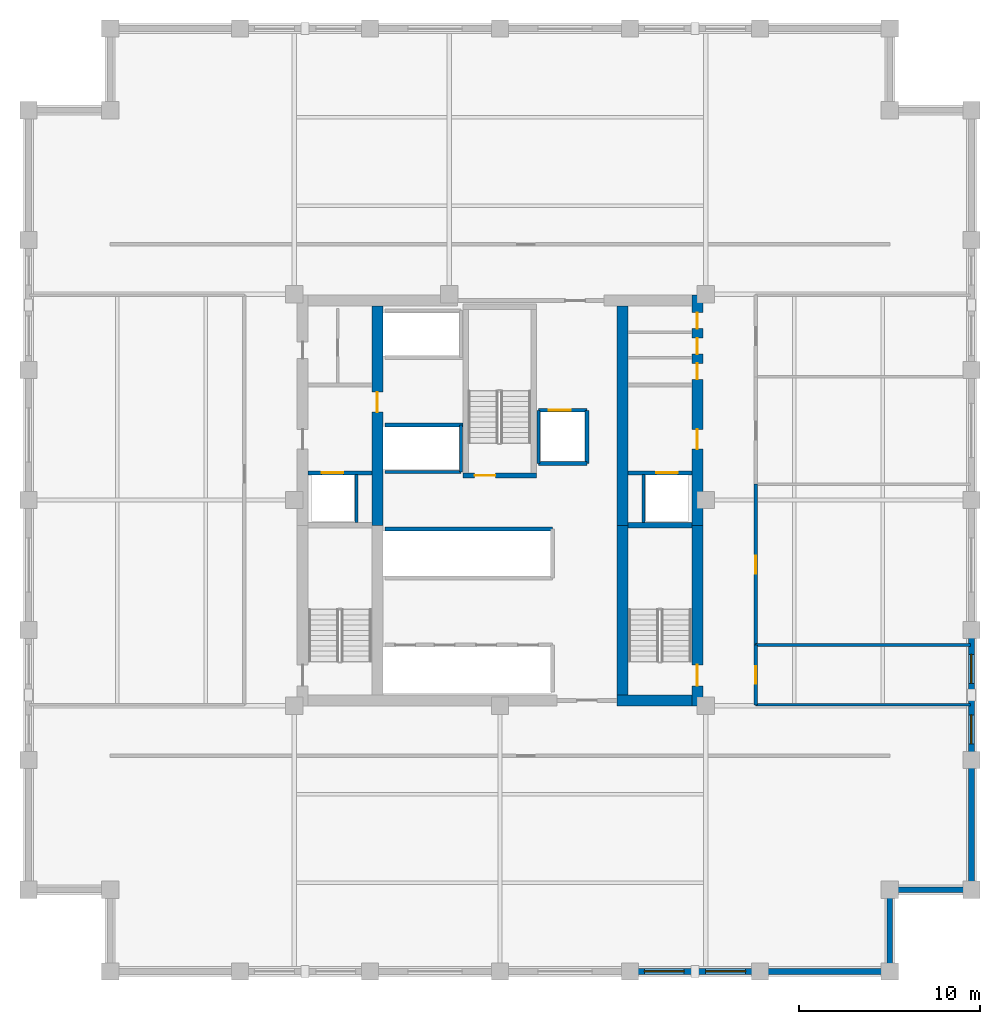
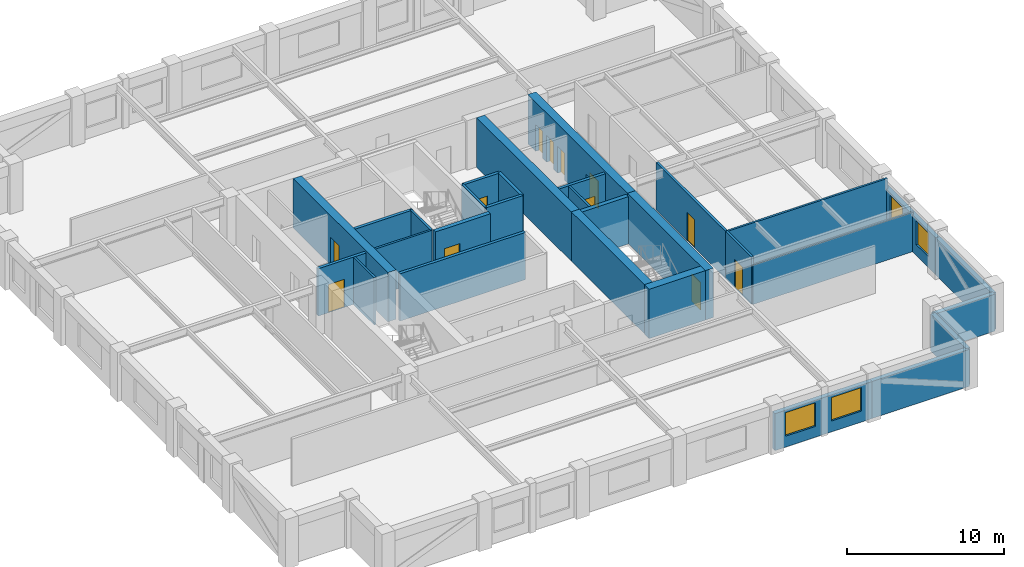
# One storey, part 3 of 6: 30 walls, 12 doors, 4 windows, 16 openings.
"""IFC4 building model written with IfcOpenShell, lengths in metres."""

import ifcopenshell
import ifcopenshell.guid

model = None  # the IFC model being written
_history = None  # IfcOwnerHistory: only IFC2X3 demands one
_inside = {}  # id of a spatial element -> (the spatial element, [elements in it])
_under = {}  # id of a project, library or spatial element -> (it, [spatial elements below it])
_declared = {}  # id of a project -> (the project, [libraries it declares])
_typed = {}  # id of a type object -> (the type object, [elements of that type])
_made_of = {}  # id of a material, layer set ... -> (it, [elements and type objects made of it])


def new_model(schema):
    """Start an empty IFC model of exactly this schema.

    Asked for "IFC4X3", IfcOpenShell would pick the latest addendum, in which some entities
    have other attributes; the version numbers below select the first issue.
    IFC2X3 requires an IfcOwnerHistory on every rooted entity: one is made here for all.
    """
    global model, _history
    if schema == "IFC4X3":
        model = ifcopenshell.file(schema_version=(4, 3, 0, 0))
    else:
        model = ifcopenshell.file(schema=schema)
    _inside.clear()
    _under.clear()
    _declared.clear()
    _typed.clear()
    _made_of.clear()
    _history = None
    if model.schema == "IFC2X3":
        org = make("IfcOrganization", Name="unknown")
        user = make(
            "IfcPersonAndOrganization",
            ThePerson=make("IfcPerson", FamilyName="unknown"),
            TheOrganization=org,
        )
        app = make(
            "IfcApplication",
            ApplicationDeveloper=org,
            Version="unknown",
            ApplicationFullName="unknown",
            ApplicationIdentifier="unknown",
        )
        _history = make(
            "IfcOwnerHistory",
            OwningUser=user,
            OwningApplication=app,
            ChangeAction="ADDED",
            CreationDate=0,
        )
    return model


def make(cls, **values):
    """One entity of the class cls with the attributes given. An attribute that is None is left unset."""
    return model.create_entity(
        cls, **{name: value for name, value in values.items() if value is not None}
    )


def rooted(cls, **values):
    """An entity with a GlobalId (a new one), such as an element, a storey or a relation."""
    return make(cls, GlobalId=ifcopenshell.guid.new(), OwnerHistory=_history, **values)


def si_unit(unit_type, name, prefix=None):
    """IfcSIUnit, for example si_unit("LENGTHUNIT", "METRE", prefix="MILLI")."""
    return make("IfcSIUnit", UnitType=unit_type, Prefix=prefix, Name=name)


def assignment(units):
    """IfcUnitAssignment: the units of a project."""
    return None if units is None else make("IfcUnitAssignment", Units=units)


def point(xyz):
    """IfcCartesianPoint."""
    return None if xyz is None else make("IfcCartesianPoint", Coordinates=xyz)


def direction(xyz):
    """IfcDirection."""
    return None if xyz is None else make("IfcDirection", DirectionRatios=xyz)


def frame(location, z_axis=None, x_axis=None):
    """IfcAxis2Placement3D, a coordinate frame: its origin and axes. An axis left out is left unset."""
    return make(
        "IfcAxis2Placement3D",
        Location=point(location),
        Axis=direction(z_axis),
        RefDirection=direction(x_axis),
    )


def frame_2d(location, x_axis=None):
    """IfcAxis2Placement2D, a coordinate frame in the plane: its origin and x axis."""
    return make(
        "IfcAxis2Placement2D", Location=point(location), RefDirection=direction(x_axis)
    )


def origin():
    """The frame at (0, 0, 0) with its axes left unset."""
    return frame((0.0, 0.0, 0.0))


def place(relative_to, where):
    """IfcLocalPlacement: puts the frame where relative to a parent placement (None: the world)."""
    return make(
        "IfcLocalPlacement", PlacementRelTo=relative_to, RelativePlacement=where
    )


def context(
    kind, dimensions, precision=None, world=None, true_north=None, identifier=None
):
    """IfcGeometricRepresentationContext, for example the 3D "Model" context."""
    return make(
        "IfcGeometricRepresentationContext",
        ContextIdentifier=identifier,
        ContextType=kind,
        CoordinateSpaceDimension=dimensions,
        Precision=precision,
        WorldCoordinateSystem=world,
        TrueNorth=true_north,
    )


def subcontext(parent, identifier, kind, view, scale=None):
    """IfcGeometricRepresentationSubContext, for example "Body" below "Model"."""
    return make(
        "IfcGeometricRepresentationSubContext",
        ContextIdentifier=identifier,
        ContextType=kind,
        ParentContext=parent,
        TargetScale=scale,
        TargetView=view,
    )


def project(units=None, contexts=None):
    """IfcProject with its units and contexts."""
    return rooted(
        "IfcProject",
        Name="project",
        RepresentationContexts=contexts,
        UnitsInContext=assignment(units),
    )


def spatial(cls, under=None, at=None, **own):
    """A site, building, storey or space (cls), placed at a placement, below another one or the project."""
    s = rooted(cls, ObjectPlacement=at, **own)
    if under is not None:
        _under.setdefault(under.id(), (under, []))[1].append(s)
    return s


def profile(cls, at=None, kind="AREA", **sizes):
    """A parametric profile (cls). Its sizes go by their IFC names, for example OverallWidth=200.0."""
    return make(cls, ProfileType=kind, Position=at, **sizes)


def rectangle(**sizes):
    """IfcRectangleProfileDef."""
    return profile("IfcRectangleProfileDef", **sizes)


def extrude(swept, where, along, depth):
    """IfcExtrudedAreaSolid: the profile swept, set in the frame where, extruded along a direction by depth."""
    return make(
        "IfcExtrudedAreaSolid",
        SweptArea=swept,
        Position=where,
        ExtrudedDirection=direction(along),
        Depth=depth,
    )


def shape(context_of_items, identifier, shape_type, items):
    """IfcShapeRepresentation: the items that make up one representation, for example the "Body"."""
    return make(
        "IfcShapeRepresentation",
        ContextOfItems=context_of_items,
        RepresentationIdentifier=identifier,
        RepresentationType=shape_type,
        Items=items,
    )


def material(Name=None, Category=None):
    """IfcMaterial."""
    return make("IfcMaterial", Name=Name, Category=Category)


def layer(
    of_material, thickness, ventilated=None, Name=None, Category=None, Priority=None
):
    """IfcMaterialLayer: one layer of a wall or slab, of a material (None: an air gap)."""
    return make(
        "IfcMaterialLayer",
        Material=of_material,
        LayerThickness=thickness,
        IsVentilated=ventilated,
        Name=Name,
        Category=Category,
        Priority=Priority,
    )


def layer_set(layers, Name=None):
    """IfcMaterialLayerSet."""
    return make("IfcMaterialLayerSet", MaterialLayers=layers, LayerSetName=Name)


def made_of(thing, what):
    """Note that an element or type object is made of a material, layer set ...; save() writes the relation."""
    if what is not None:
        _made_of.setdefault(what.id(), (what, []))[1].append(thing)
    return thing


def type_object(cls, material=None, **own):
    """A type object (cls), such as IfcWallType, which elements share."""
    return made_of(rooted(cls, **own), material)


def element(
    cls,
    number,
    at=None,
    inside=None,
    cuts=None,
    type_object=None,
    material=None,
    context=None,
    identifier="Body",
    shape_type=None,
    held_by="IfcProductDefinitionShape",
    body=None,
    shapes=None,
    **own,
):
    """One element of the class cls, such as IfcWall. Its Tag is "e" and its number.

    at: its placement. inside: the storey or other place that contains it. cuts: it is an
    opening in that element (IfcRelVoidsElement). A single representation is given by context,
    identifier, shape_type and body (its items); several are given by shapes. held_by: the class
    of the entity that holds the representations. save() writes the other relations.
    """
    e = rooted(cls, Tag="e%d" % number, ObjectPlacement=at, **own)
    if body is not None:
        shapes = [shape(context, identifier, shape_type, body)]
    if shapes is not None:
        e.Representation = make(held_by, Representations=shapes)
    if inside is not None:
        _inside.setdefault(inside.id(), (inside, []))[1].append(e)
    if cuts is not None:
        rooted(
            "IfcRelVoidsElement", RelatingBuildingElement=cuts, RelatedOpeningElement=e
        )
    if type_object is not None:
        _typed.setdefault(type_object.id(), (type_object, []))[1].append(e)
    return made_of(e, material)


def fill(opening, filler):
    """IfcRelFillsElement: the door or window that sits in an opening."""
    return rooted(
        "IfcRelFillsElement",
        RelatingOpeningElement=opening,
        RelatedBuildingElement=filler,
    )


def aggregate(whole, parts):
    """IfcRelAggregates: a whole, such as a stair, and the parts it consists of."""
    return rooted("IfcRelAggregates", RelatingObject=whole, RelatedObjects=parts)


def save(model, path):
    """Write the relations noted so far, then the file.

    IfcRelAggregates (storeys below a building ...), IfcRelContainedInSpatialStructure (elements
    in a storey), IfcRelDefinesByType, IfcRelAssociatesMaterial and IfcRelDeclares: one each for
    every whole, place, type object, material and project.
    """
    for whole, parts in _under.values():
        aggregate(whole, parts)
    for where, things in _inside.values():
        rooted(
            "IfcRelContainedInSpatialStructure",
            RelatedElements=things,
            RelatingStructure=where,
        )
    for kind, things in _typed.values():
        rooted("IfcRelDefinesByType", RelatedObjects=things, RelatingType=kind)
    for what, things in _made_of.values():
        rooted("IfcRelAssociatesMaterial", RelatedObjects=things, RelatingMaterial=what)
    for by, libraries in _declared.values():
        rooted("IfcRelDeclares", RelatingContext=by, RelatedDefinitions=libraries)
    model.write(path)


model = new_model("IFC4")

# Units and contexts
model_context = context("Model", 3, precision=1e-05, world=origin(), true_north=direction((0.0, 1.0)))
body_context = subcontext(model_context, "Body", "Model", "MODEL_VIEW")
ifc_project = project(units=[si_unit("LENGTHUNIT", "METRE"), si_unit("AREAUNIT", "SQUARE_METRE"), si_unit("VOLUMEUNIT", "CUBIC_METRE"), si_unit("PLANEANGLEUNIT", "RADIAN"), si_unit("MASSUNIT", "GRAM", prefix="KILO")], contexts=[model_context])

# Site, building, storey
site_placement = place(None, origin())
site = spatial("IfcSite", under=ifc_project, at=site_placement, CompositionType="ELEMENT")
building_placement = place(site_placement, origin())
building = spatial("IfcBuilding", under=site, at=building_placement, Name="Nhamokura Convention Tower", CompositionType="ELEMENT")
storey_placement = place(building_placement, frame((0.0, 0.0, 152.949951171875)))
storey = spatial("IfcBuildingStorey", under=building, at=storey_placement, Name="L37", CompositionType="ELEMENT", Elevation=152.949951171875)

# Wall, openings, windows
ifc_material_1 = material(Name="Bronze-pigmented precast concrete C45/55", Category="concrete")
ifc_layer_1 = layer(ifc_material_1, 0.320068359375)
ifc_layer_set_1 = layer_set([ifc_layer_1], Name="BronzePrecastSpandrel_320")
wall_type_1 = type_object("IfcWallType", Name="BronzePrecastSpandrel_320", PredefinedType="USERDEFINED", material=ifc_layer_set_1)
wall_1_placement = place(storey_placement, frame((46.333251953125, 6.0, 0.0), z_axis=(0.0, 0.0, 1.0), x_axis=(-1.0, 0.0, 0.0)))
wall_1 = element("IfcWall", 1, at=wall_1_placement, inside=storey, type_object=wall_type_1, Name="L37 Masonry-Frame Wall SOUTH 4", ObjectType="SPANDREL_WALL", PredefinedType="USERDEFINED", context=body_context, shape_type="SweptSolid", body=[
    extrude(rectangle(XDim=7.16650390625, YDim=0.320068359375, at=frame_2d((3.583251953125, 0.0))), origin(), (0.0, 0.0, 1.0), 2.885009765625),
])
opening_1_placement = place(wall_1_placement, frame((0.791748046875, 0.0, 0.85009765625)))
opening_1 = element("IfcOpeningElement", 2, at=opening_1_placement, cuts=wall_1, Name="Opening W-06", PredefinedType="OPENING", context=body_context, shape_type="SweptSolid", body=[
    extrude(rectangle(XDim=2.199951171875, YDim=1.8349609375, at=frame_2d((1.10009765625, 0.91748046875))), frame((0.0, 0.169921875, 0.0), z_axis=(0.0, -1.0, 0.0), x_axis=(1.0, 0.0, 0.0)), (0.0, 0.0, 1.0), 0.340087890625),
])
opening_2_placement = place(wall_1_placement, frame((4.175048828125, 0.0, 0.85009765625)))
opening_2 = element("IfcOpeningElement", 3, at=opening_2_placement, cuts=wall_1, Name="Opening W-06", PredefinedType="OPENING", context=body_context, shape_type="SweptSolid", body=[
    extrude(rectangle(XDim=2.199951171875, YDim=1.8349609375, at=frame_2d((1.10009765625, 0.91748046875))), frame((0.0, 0.169921875, 0.0), z_axis=(0.0, -1.0, 0.0), x_axis=(1.0, 0.0, 0.0)), (0.0, 0.0, 1.0), 0.340087890625),
])
ifc_material_2 = material(Name="Solar-control bronze low-E double glass", Category="glass")
window_type_1 = type_object("IfcWindowType", Name="OfficeModuleWindow_Z2_2200", PartitioningType="SINGLE_PANEL", PredefinedType="WINDOW", material=ifc_material_2)
window_1_placement = place(opening_1_placement, origin())
window_1 = element("IfcWindow", 4, at=window_1_placement, inside=storey, type_object=window_type_1, Name="L37 Facade Window SOUTH 4-1", OverallHeight=1.8349609375, OverallWidth=2.199951171875, PartitioningType="SINGLE_PANEL", PredefinedType="WINDOW", context=body_context, shape_type="SweptSolid", body=[
    extrude(rectangle(XDim=2.199951171875, YDim=1.8349609375, at=frame_2d((1.10009765625, 0.91748046875))), frame((0.0, 0.030029296875, 0.0), z_axis=(0.0, -1.0, 0.0), x_axis=(1.0, 0.0, 0.0)), (0.0, 0.0, 1.0), 0.06005859375),
])
fill(opening_1, window_1)
window_2_placement = place(opening_2_placement, origin())
window_2 = element("IfcWindow", 5, at=window_2_placement, inside=storey, type_object=window_type_1, Name="L37 Facade Window SOUTH 4-2", OverallHeight=1.8349609375, OverallWidth=2.199951171875, PartitioningType="SINGLE_PANEL", PredefinedType="WINDOW", context=body_context, shape_type="SweptSolid", body=[
    extrude(rectangle(XDim=2.199951171875, YDim=1.8349609375, at=frame_2d((1.10009765625, 0.91748046875))), frame((0.0, 0.030029296875, 0.0), z_axis=(0.0, -1.0, 0.0), x_axis=(1.0, 0.0, 0.0)), (0.0, 0.0, 1.0), 0.06005859375),
])
fill(opening_2, window_2)

# Walls
for number, where, z_axis, x_axis, name in (
    (6, (53.5, 6.0, 0.0), (0.0, 0.0, 1.0), (-1.0, 0.0, 0.0), "L37 Braced-Bay Precast Wall SOUTH 5"),
    (7, (58.0, 17.666748046875, 0.0), (0.0, 0.0, 1.0), (0.0, -1.0, 0.0), "L37 Braced-Bay Precast Wall EAST 0"),
):
    element("IfcWall", number, at=place(storey_placement, frame(where, z_axis=z_axis, x_axis=x_axis)), inside=storey, type_object=wall_type_1, Name=name, ObjectType="SPANDREL_WALL", PredefinedType="USERDEFINED", context=body_context, shape_type="SweptSolid", body=[
        extrude(rectangle(XDim=7.166748046875, YDim=0.320068359375, at=frame_2d((3.58349609375, 0.0))), origin(), (0.0, 0.0, 1.0), 2.885009765625),
    ])

# Wall, openings, windows
wall_2_placement = place(storey_placement, frame((58.0, 24.833251953125, 0.0), z_axis=(0.0, 0.0, 1.0), x_axis=(0.0, -1.0, 0.0)))
wall_2 = element("IfcWall", 8, at=wall_2_placement, inside=storey, type_object=wall_type_1, Name="L37 Masonry-Frame Wall EAST 1", ObjectType="SPANDREL_WALL", PredefinedType="USERDEFINED", context=body_context, shape_type="SweptSolid", body=[
    extrude(rectangle(XDim=7.16650390625, YDim=0.320068359375, at=frame_2d((3.583251953125, 0.0))), origin(), (0.0, 0.0, 1.0), 2.885009765625),
])
opening_3_placement = place(wall_2_placement, frame((1.341796875, 0.0, 0.85009765625)))
opening_3 = element("IfcOpeningElement", 9, at=opening_3_placement, cuts=wall_2, Name="Opening W-11", PredefinedType="OPENING", context=body_context, shape_type="SweptSolid", body=[
    extrude(rectangle(XDim=1.60009765625, YDim=1.8349609375, at=frame_2d((0.800048828125, 0.91748046875))), frame((0.0, 0.169921875, 0.0), z_axis=(0.0, -1.0, 0.0), x_axis=(1.0, 0.0, 0.0)), (0.0, 0.0, 1.0), 0.340087890625),
])
opening_4_placement = place(wall_2_placement, frame((4.6875, 0.0, 0.85009765625)))
opening_4 = element("IfcOpeningElement", 10, at=opening_4_placement, cuts=wall_2, Name="Opening W-11", PredefinedType="OPENING", context=body_context, shape_type="SweptSolid", body=[
    extrude(rectangle(XDim=1.60009765625, YDim=1.8349609375, at=frame_2d((0.800048828125, 0.91748046875))), frame((0.0, 0.169921875, 0.0), z_axis=(0.0, -1.0, 0.0), x_axis=(1.0, 0.0, 0.0)), (0.0, 0.0, 1.0), 0.340087890625),
])
ifc_material_3 = material(Name="Solar-control bronze low-E double glass", Category="glass")
window_type_2 = type_object("IfcWindowType", Name="NotchCornerWindow_1600", PartitioningType="SINGLE_PANEL", PredefinedType="WINDOW", material=ifc_material_3)
window_3_placement = place(opening_3_placement, origin())
window_3 = element("IfcWindow", 11, at=window_3_placement, inside=storey, type_object=window_type_2, Name="L37 Facade Window EAST 1-1", OverallHeight=1.8349609375, OverallWidth=1.60009765625, PartitioningType="SINGLE_PANEL", PredefinedType="WINDOW", context=body_context, shape_type="SweptSolid", body=[
    extrude(rectangle(XDim=1.60009765625, YDim=1.8349609375, at=frame_2d((0.800048828125, 0.91748046875))), frame((0.0, 0.030029296875, 0.0), z_axis=(0.0, -1.0, 0.0), x_axis=(1.0, 0.0, 0.0)), (0.0, 0.0, 1.0), 0.06005859375),
])
fill(opening_3, window_3)
window_4_placement = place(opening_4_placement, origin())
window_4 = element("IfcWindow", 12, at=window_4_placement, inside=storey, type_object=window_type_2, Name="L37 Facade Window EAST 1-2", OverallHeight=1.8349609375, OverallWidth=1.60009765625, PartitioningType="SINGLE_PANEL", PredefinedType="WINDOW", context=body_context, shape_type="SweptSolid", body=[
    extrude(rectangle(XDim=1.60009765625, YDim=1.8349609375, at=frame_2d((0.800048828125, 0.91748046875))), frame((0.0, 0.030029296875, 0.0), z_axis=(0.0, -1.0, 0.0), x_axis=(1.0, 0.0, 0.0)), (0.0, 0.0, 1.0), 0.06005859375),
])
fill(opening_4, window_4)

# Walls
for number, where, z_axis, x_axis, name in (
    (13, (53.5, 10.5, 0.0), (0.0, 0.0, 1.0), (0.0, -1.0, 0.0), "L37 Notched Corner Wall SE1"),
    (14, (58.0, 10.5, 0.0), (0.0, 0.0, 1.0), (-1.0, 0.0, 0.0), "L37 Notched Corner Wall SE2"),
):
    element("IfcWall", number, at=place(storey_placement, frame(where, z_axis=z_axis, x_axis=x_axis)), inside=storey, type_object=wall_type_1, Name=name, ObjectType="SPANDREL_WALL", PredefinedType="USERDEFINED", context=body_context, shape_type="SweptSolid", body=[
        extrude(rectangle(XDim=4.5, YDim=0.320068359375, at=frame_2d((2.25, 0.0))), origin(), (0.0, 0.0, 1.0), 2.885009765625),
    ])

# Wall, opening, door
ifc_material_4 = material(Name="Concrete C60/75", Category="concrete")
ifc_layer_2 = layer(ifc_material_4, 0.60009765625)
ifc_layer_set_2 = layer_set([ifc_layer_2], Name="CoreShearWall_600")
wall_type_2 = type_object("IfcWallType", Name="CoreShearWall_600", PredefinedType="SHEAR", material=ifc_layer_set_2)
wall_3_placement = place(storey_placement, frame((42.889892578125, 20.64990234375, 0.0), z_axis=(0.0, 0.0, 1.0), x_axis=(0.0, 1.0, 0.0)))
wall_3 = element("IfcWall", 15, at=wall_3_placement, inside=storey, type_object=wall_type_2, Name="L37 Core Shear Wall CW-ES", PredefinedType="SHEAR", context=body_context, shape_type="SweptSolid", body=[
    extrude(rectangle(XDim=9.9501953125, YDim=0.60009765625, at=frame_2d((4.97509765625, 0.0))), origin(), (0.0, 0.0, 1.0), 3.85009765625),
])
opening_5_placement = place(wall_3_placement, frame((1.10009765625, 0.0, 0.0)))
opening_5 = element("IfcOpeningElement", 16, at=opening_5_placement, cuts=wall_3, Name="Opening D-04", PredefinedType="OPENING", context=body_context, shape_type="SweptSolid", body=[
    extrude(rectangle(XDim=1.14990234375, YDim=2.14990234375, at=frame_2d((0.574951171875, 1.074951171875))), frame((0.0, 0.31005859375, 0.0), z_axis=(0.0, -1.0, 0.0), x_axis=(1.0, 0.0, 0.0)), (0.0, 0.0, 1.0), 0.6201171875),
])
ifc_material_5 = material(Name="Fire-rated steel door", Category="steel")
door_type_1 = type_object("IfcDoorType", Name="StairSmokeDoor_1150", OperationType="NOTDEFINED", PredefinedType="DOOR", material=ifc_material_5)
door_1_placement = place(opening_5_placement, origin())
door_1 = element("IfcDoor", 17, at=door_1_placement, inside=storey, type_object=door_type_1, Name="L37 Core Door INT-L37-D-ST02", OperationType="SINGLE_SWING_RIGHT", OverallHeight=2.14990234375, OverallWidth=1.14990234375, PredefinedType="DOOR", context=body_context, shape_type="SweptSolid", body=[
    extrude(rectangle(XDim=1.14990234375, YDim=2.14990234375, at=frame_2d((0.574951171875, 1.074951171875))), frame((0.0, 0.02490234375, 0.0), z_axis=(0.0, -1.0, 0.0), x_axis=(1.0, 0.0, 0.0)), (0.0, 0.0, 1.0), 0.050048828125),
])
fill(opening_5, door_1)

# Wall, openings, doors
wall_4_placement = place(storey_placement, frame((42.889892578125, 30.60009765625, 0.0), z_axis=(0.0, 0.0, 1.0), x_axis=(0.0, 1.0, 0.0)))
wall_4 = element("IfcWall", 18, at=wall_4_placement, inside=storey, type_object=wall_type_2, Name="L37 Core Shear Wall CW-EN", PredefinedType="SHEAR", context=body_context, shape_type="SweptSolid", body=[
    extrude(rectangle(XDim=12.699951171875, YDim=0.60009765625, at=frame_2d((6.35009765625, 0.0))), origin(), (0.0, 0.0, 1.0), 3.85009765625),
])
opening_6_placement = place(wall_4_placement, frame((4.199951171875, 0.0, 0.0)))
opening_6 = element("IfcOpeningElement", 19, at=opening_6_placement, cuts=wall_4, Name="Opening D-05", PredefinedType="OPENING", context=body_context, shape_type="SweptSolid", body=[
    extrude(rectangle(XDim=1.10009765625, YDim=2.14990234375, at=frame_2d((0.550048828125, 1.074951171875))), frame((0.0, 0.31005859375, 0.0), z_axis=(0.0, -1.0, 0.0), x_axis=(1.0, 0.0, 0.0)), (0.0, 0.0, 1.0), 0.6201171875),
])
opening_7_placement = place(wall_4_placement, frame((8.050048828125, 0.0, 0.0)))
opening_7 = element("IfcOpeningElement", 20, at=opening_7_placement, cuts=wall_4, Name="Opening D-11", PredefinedType="OPENING", context=body_context, shape_type="SweptSolid", body=[
    extrude(rectangle(XDim=0.8798828125, YDim=2.10009765625, at=frame_2d((0.43994140625, 1.050048828125))), frame((0.0, 0.31005859375, 0.0), z_axis=(0.0, -1.0, 0.0), x_axis=(1.0, 0.0, 0.0)), (0.0, 0.0, 1.0), 0.6201171875),
])
opening_8_placement = place(wall_4_placement, frame((9.449951171875, 0.0, 0.0)))
opening_8 = element("IfcOpeningElement", 21, at=opening_8_placement, cuts=wall_4, Name="Opening D-11", PredefinedType="OPENING", context=body_context, shape_type="SweptSolid", body=[
    extrude(rectangle(XDim=0.8798828125, YDim=2.10009765625, at=frame_2d((0.43994140625, 1.050048828125))), frame((0.0, 0.31005859375, 0.0), z_axis=(0.0, -1.0, 0.0), x_axis=(1.0, 0.0, 0.0)), (0.0, 0.0, 1.0), 0.6201171875),
])
opening_9_placement = place(wall_4_placement, frame((10.85009765625, 0.0, 0.0)))
opening_9 = element("IfcOpeningElement", 22, at=opening_9_placement, cuts=wall_4, Name="Opening D-11", PredefinedType="OPENING", context=body_context, shape_type="SweptSolid", body=[
    extrude(rectangle(XDim=0.8798828125, YDim=2.10009765625, at=frame_2d((0.43994140625, 1.050048828125))), frame((0.0, 0.31005859375, 0.0), z_axis=(0.0, -1.0, 0.0), x_axis=(1.0, 0.0, 0.0)), (0.0, 0.0, 1.0), 0.6201171875),
])
ifc_material_6 = material(Name="Solid oak hardwood", Category="wood")
door_type_2 = type_object("IfcDoorType", Name="BathroomDoor_880", OperationType="NOTDEFINED", PredefinedType="DOOR", material=ifc_material_6)
door_2_placement = place(opening_7_placement, origin())
door_2 = element("IfcDoor", 23, at=door_2_placement, inside=storey, type_object=door_type_2, Name="L37 Core Door INT-L37-D-MWC", OperationType="SINGLE_SWING_LEFT", OverallHeight=2.10009765625, OverallWidth=0.8798828125, PredefinedType="DOOR", context=body_context, shape_type="SweptSolid", body=[
    extrude(rectangle(XDim=0.8798828125, YDim=2.10009765625, at=frame_2d((0.43994140625, 1.050048828125))), frame((0.0, 0.02490234375, 0.0), z_axis=(0.0, -1.0, 0.0), x_axis=(1.0, 0.0, 0.0)), (0.0, 0.0, 1.0), 0.050048828125),
])
fill(opening_7, door_2)
door_3_placement = place(opening_8_placement, origin())
door_3 = element("IfcDoor", 24, at=door_3_placement, inside=storey, type_object=door_type_2, Name="L37 Core Door INT-L37-D-FWC", OperationType="SINGLE_SWING_RIGHT", OverallHeight=2.10009765625, OverallWidth=0.8798828125, PredefinedType="DOOR", context=body_context, shape_type="SweptSolid", body=[
    extrude(rectangle(XDim=0.8798828125, YDim=2.10009765625, at=frame_2d((0.43994140625, 1.050048828125))), frame((0.0, 0.02490234375, 0.0), z_axis=(0.0, -1.0, 0.0), x_axis=(1.0, 0.0, 0.0)), (0.0, 0.0, 1.0), 0.050048828125),
])
fill(opening_8, door_3)
door_4_placement = place(opening_9_placement, origin())
door_4 = element("IfcDoor", 25, at=door_4_placement, inside=storey, type_object=door_type_2, Name="L37 Core Door INT-L37-D-ARC", OperationType="SINGLE_SWING_LEFT", OverallHeight=2.10009765625, OverallWidth=0.8798828125, PredefinedType="DOOR", context=body_context, shape_type="SweptSolid", body=[
    extrude(rectangle(XDim=0.8798828125, YDim=2.10009765625, at=frame_2d((0.43994140625, 1.050048828125))), frame((0.0, 0.02490234375, 0.0), z_axis=(0.0, -1.0, 0.0), x_axis=(1.0, 0.0, 0.0)), (0.0, 0.0, 1.0), 0.050048828125),
])
fill(opening_9, door_4)
ifc_material_7 = material(Name="Fire-rated steel door", Category="steel")
door_type_3 = type_object("IfcDoorType", Name="FireLobbyDoor_1100", OperationType="NOTDEFINED", PredefinedType="DOOR", material=ifc_material_7)
door_5_placement = place(opening_6_placement, origin())
door_5 = element("IfcDoor", 26, at=door_5_placement, inside=storey, type_object=door_type_3, Name="L37 Core Door INT-L37-D-FFLE", OperationType="SINGLE_SWING_LEFT", OverallHeight=2.14990234375, OverallWidth=1.10009765625, PredefinedType="DOOR", context=body_context, shape_type="SweptSolid", body=[
    extrude(rectangle(XDim=1.10009765625, YDim=2.14990234375, at=frame_2d((0.550048828125, 1.074951171875))), frame((0.0, 0.02490234375, 0.0), z_axis=(0.0, -1.0, 0.0), x_axis=(1.0, 0.0, 0.0)), (0.0, 0.0, 1.0), 0.050048828125),
])
fill(opening_6, door_5)

# Wall
wall_5_placement = place(storey_placement, frame((38.449951171875, 20.949951171875, 0.0), z_axis=(0.0, 0.0, 1.0), x_axis=(1.0, 0.0, 0.0)))
element("IfcWall", 27, at=wall_5_placement, inside=storey, type_object=wall_type_2, Name="L37 Core Shear Wall CW-S2", PredefinedType="SHEAR", context=body_context, shape_type="SweptSolid", body=[
    extrude(rectangle(XDim=4.14013671875, YDim=0.60009765625, at=frame_2d((2.070068359375, 0.0))), origin(), (0.0, 0.0, 1.0), 3.85009765625),
])

# Wall, opening, door
wall_6_placement = place(storey_placement, frame((25.239990234375, 30.60009765625, 0.0), z_axis=(0.0, 0.0, 1.0), x_axis=(0.0, 1.0, 0.0)))
wall_6 = element("IfcWall", 28, at=wall_6_placement, inside=storey, type_object=wall_type_2, Name="L37 Core Shear Wall CW-IWN", PredefinedType="SHEAR", context=body_context, shape_type="SweptSolid", body=[
    extrude(rectangle(XDim=12.099853515625, YDim=0.60009765625, at=frame_2d((6.0498046875, 0.0))), origin(), (0.0, 0.0, 1.0), 3.85009765625),
])
opening_10_placement = place(wall_6_placement, frame((6.25, 0.0, 0.0)))
opening_10 = element("IfcOpeningElement", 29, at=opening_10_placement, cuts=wall_6, Name="Opening D-05", PredefinedType="OPENING", context=body_context, shape_type="SweptSolid", body=[
    extrude(rectangle(XDim=1.10009765625, YDim=2.14990234375, at=frame_2d((0.550048828125, 1.074951171875))), frame((0.0, 0.31005859375, 0.0), z_axis=(0.0, -1.0, 0.0), x_axis=(1.0, 0.0, 0.0)), (0.0, 0.0, 1.0), 0.6201171875),
])
door_6_placement = place(opening_10_placement, origin())
door_6 = element("IfcDoor", 30, at=door_6_placement, inside=storey, type_object=door_type_3, Name="L37 Core Door INT-L37-D-B3LOB", OperationType="SINGLE_SWING_LEFT", OverallHeight=2.14990234375, OverallWidth=1.10009765625, PredefinedType="DOOR", context=body_context, shape_type="SweptSolid", body=[
    extrude(rectangle(XDim=1.10009765625, YDim=2.14990234375, at=frame_2d((0.550048828125, 1.074951171875))), frame((0.0, 0.02490234375, 0.0), z_axis=(0.0, -1.0, 0.0), x_axis=(1.0, 0.0, 0.0)), (0.0, 0.0, 1.0), 0.050048828125),
])
fill(opening_10, door_6)

# Walls
wall_7_placement = place(storey_placement, frame((38.760009765625, 21.25, 0.0), z_axis=(0.0, 0.0, 1.0), x_axis=(0.0, 1.0, 0.0)))
element("IfcWall", 31, at=wall_7_placement, inside=storey, type_object=wall_type_2, Name="L37 Core Shear Wall CW-IES", PredefinedType="SHEAR", context=body_context, shape_type="SweptSolid", body=[
    extrude(rectangle(XDim=9.35009765625, YDim=0.60009765625, at=frame_2d((4.675048828125, 0.0))), origin(), (0.0, 0.0, 1.0), 3.85009765625),
])
wall_8_placement = place(storey_placement, frame((38.760009765625, 30.60009765625, 0.0), z_axis=(0.0, 0.0, 1.0), x_axis=(0.0, 1.0, 0.0)))
element("IfcWall", 32, at=wall_8_placement, inside=storey, type_object=wall_type_2, Name="L37 Core Shear Wall CW-IEN", PredefinedType="SHEAR", context=body_context, shape_type="SweptSolid", body=[
    extrude(rectangle(XDim=12.099853515625, YDim=0.60009765625, at=frame_2d((6.0498046875, 0.0))), origin(), (0.0, 0.0, 1.0), 3.85009765625),
])

# Wall, opening, door
ifc_material_8 = material(Name="Fire-rated gypsum and masonry partition", Category="masonry")
ifc_layer_3 = layer(ifc_material_8, 0.179931640625)
ifc_layer_set_3 = layer_set([ifc_layer_3], Name="CorridorRatedWall_180")
wall_type_3 = type_object("IfcWallType", Name="CorridorRatedWall_180", PredefinedType="STANDARD", material=ifc_layer_set_3)
wall_9_placement = place(storey_placement, frame((46.10009765625, 20.699951171875, 0.0), z_axis=(0.0, 0.0, 1.0), x_axis=(0.0, 1.0, 0.0)))
wall_9 = element("IfcWall", 33, at=wall_9_placement, inside=storey, type_object=wall_type_3, Name="L37 Wall INT-L37-CW-E00", PredefinedType="STANDARD", context=body_context, shape_type="SweptSolid", body=[
    extrude(rectangle(XDim=3.308349609375, YDim=0.179931640625, at=frame_2d((1.654296875, 0.0))), origin(), (0.0, 0.0, 1.0), 3.68505859375),
])
opening_11_placement = place(wall_9_placement, frame((1.154052734375, 0.0, 0.0)))
opening_11 = element("IfcOpeningElement", 34, at=opening_11_placement, cuts=wall_9, Name="Opening D-08", PredefinedType="OPENING", context=body_context, shape_type="SweptSolid", body=[
    extrude(rectangle(XDim=0.97998046875, YDim=2.199951171875, at=frame_2d((0.489990234375, 1.10009765625))), frame((0.0, 0.099853515625, 0.0), z_axis=(0.0, -1.0, 0.0), x_axis=(1.0, 0.0, 0.0)), (0.0, 0.0, 1.0), 0.199951171875),
])
ifc_material_9 = material(Name="Solid oak hardwood", Category="wood")
door_type_4 = type_object("IfcDoorType", Name="OfficeEntryDoor_980", OperationType="NOTDEFINED", PredefinedType="DOOR", material=ifc_material_9)
door_7_placement = place(opening_11_placement, origin())
door_7 = element("IfcDoor", 35, at=door_7_placement, inside=storey, type_object=door_type_4, Name="L37 Private Office E01 Door", OperationType="SINGLE_SWING_LEFT", OverallHeight=2.199951171875, OverallWidth=0.97998046875, PredefinedType="DOOR", context=body_context, shape_type="SweptSolid", body=[
    extrude(rectangle(XDim=0.97998046875, YDim=2.199951171875, at=frame_2d((0.489990234375, 1.10009765625))), frame((0.0, 0.02490234375, 0.0), z_axis=(0.0, -1.0, 0.0), x_axis=(1.0, 0.0, 0.0)), (0.0, 0.0, 1.0), 0.050048828125),
])
fill(opening_11, door_7)

wall_10_placement = place(storey_placement, frame((46.10009765625, 24.00830078125, 0.0), z_axis=(0.0, 0.0, 1.0), x_axis=(0.0, 1.0, 0.0)))
wall_10 = element("IfcWall", 36, at=wall_10_placement, inside=storey, type_object=wall_type_3, Name="L37 Wall INT-L37-CW-E01", PredefinedType="STANDARD", context=body_context, shape_type="SweptSolid", body=[
    extrude(rectangle(XDim=8.86669921875, YDim=0.179931640625, at=frame_2d((4.433349609375, 0.0))), origin(), (0.0, 0.0, 1.0), 3.68505859375),
])
opening_12_placement = place(wall_10_placement, frame((3.933349609375, 0.0, 0.0)))
opening_12 = element("IfcOpeningElement", 37, at=opening_12_placement, cuts=wall_10, Name="Opening D-08", PredefinedType="OPENING", context=body_context, shape_type="SweptSolid", body=[
    extrude(rectangle(XDim=0.97998046875, YDim=2.199951171875, at=frame_2d((0.489990234375, 1.10009765625))), frame((0.0, 0.099853515625, 0.0), z_axis=(0.0, -1.0, 0.0), x_axis=(1.0, 0.0, 0.0)), (0.0, 0.0, 1.0), 0.199951171875),
])
door_8_placement = place(opening_12_placement, origin())
door_8 = element("IfcDoor", 38, at=door_8_placement, inside=storey, type_object=door_type_4, Name="L37 Private Office E02 Door", OperationType="SINGLE_SWING_RIGHT", OverallHeight=2.199951171875, OverallWidth=0.97998046875, PredefinedType="DOOR", context=body_context, shape_type="SweptSolid", body=[
    extrude(rectangle(XDim=0.97998046875, YDim=2.199951171875, at=frame_2d((0.489990234375, 1.10009765625))), frame((0.0, 0.02490234375, 0.0), z_axis=(0.0, -1.0, 0.0), x_axis=(1.0, 0.0, 0.0)), (0.0, 0.0, 1.0), 0.050048828125),
])
fill(opening_12, door_8)

ifc_material_10 = material(Name="Autoclaved concrete blockwork", Category="masonry")
ifc_layer_4 = layer(ifc_material_10, 0.219970703125)
ifc_layer_set_4 = layer_set([ifc_layer_4], Name="FireLobbyWall_220")
wall_type_4 = type_object("IfcWallType", Name="FireLobbyWall_220", PredefinedType="STANDARD", material=ifc_layer_set_4)
wall_11_placement = place(storey_placement, frame((21.409912109375, 33.5, 0.0), z_axis=(0.0, 0.0, 1.0), x_axis=(1.0, 0.0, 0.0)))
wall_11 = element("IfcWall", 39, at=wall_11_placement, inside=storey, type_object=wall_type_4, Name="L37 Wall INT-L37-FFW-S", PredefinedType="STANDARD", context=body_context, shape_type="SweptSolid", body=[
    extrude(rectangle(XDim=3.530029296875, YDim=0.219970703125, at=frame_2d((1.76513671875, 0.0))), origin(), (0.0, 0.0, 1.0), 3.68505859375),
])
opening_13_placement = place(wall_11_placement, frame((0.75, 0.0, 0.0)))
opening_13 = element("IfcOpeningElement", 40, at=opening_13_placement, cuts=wall_11, Name="Opening LD-02", PredefinedType="OPENING", context=body_context, shape_type="SweptSolid", body=[
    extrude(rectangle(XDim=1.199951171875, YDim=2.199951171875, at=frame_2d((0.60009765625, 1.10009765625))), frame((0.0, 0.119873046875, 0.0), z_axis=(0.0, -1.0, 0.0), x_axis=(1.0, 0.0, 0.0)), (0.0, 0.0, 1.0), 0.239990234375),
])
ifc_material_11 = material(Name="Anodised bronze stainless steel", Category="steel")
door_type_5 = type_object("IfcDoorType", Name="LiftLandingDoor_FireService", OperationType="DOUBLE_DOOR_SLIDING", PredefinedType="DOOR", material=ifc_material_11)
door_9_placement = place(opening_13_placement, origin())
door_9 = element("IfcDoor", 41, at=door_9_placement, inside=storey, type_object=door_type_5, Name="L37 Firefighting Lift LF-01 Door", OperationType="DOUBLE_DOOR_SLIDING", OverallHeight=2.199951171875, OverallWidth=1.199951171875, PredefinedType="DOOR", context=body_context, shape_type="SweptSolid", body=[
    extrude(rectangle(XDim=1.199951171875, YDim=2.199951171875, at=frame_2d((0.60009765625, 1.10009765625))), frame((0.0, 0.02490234375, 0.0), z_axis=(0.0, -1.0, 0.0), x_axis=(1.0, 0.0, 0.0)), (0.0, 0.0, 1.0), 0.050048828125),
])
fill(opening_13, door_9)

wall_12_placement = place(storey_placement, frame((39.06005859375, 33.5, 0.0), z_axis=(0.0, 0.0, 1.0), x_axis=(1.0, 0.0, 0.0)))
wall_12 = element("IfcWall", 42, at=wall_12_placement, inside=storey, type_object=wall_type_4, Name="L37 Wall INT-L37-FFE-S", PredefinedType="STANDARD", context=body_context, shape_type="SweptSolid", body=[
    extrude(rectangle(XDim=3.530029296875, YDim=0.219970703125, at=frame_2d((1.76513671875, 0.0))), origin(), (0.0, 0.0, 1.0), 3.68505859375),
])
opening_14_placement = place(wall_12_placement, frame((1.550048828125, 0.0, 0.0)))
opening_14 = element("IfcOpeningElement", 43, at=opening_14_placement, cuts=wall_12, Name="Opening LD-02", PredefinedType="OPENING", context=body_context, shape_type="SweptSolid", body=[
    extrude(rectangle(XDim=1.199951171875, YDim=2.199951171875, at=frame_2d((0.60009765625, 1.10009765625))), frame((0.0, 0.119873046875, 0.0), z_axis=(0.0, -1.0, 0.0), x_axis=(1.0, 0.0, 0.0)), (0.0, 0.0, 1.0), 0.239990234375),
])
door_10_placement = place(opening_14_placement, origin())
door_10 = element("IfcDoor", 44, at=door_10_placement, inside=storey, type_object=door_type_5, Name="L37 Firefighting Lift LF-02 Door", OperationType="DOUBLE_DOOR_SLIDING", OverallHeight=2.199951171875, OverallWidth=1.199951171875, PredefinedType="DOOR", context=body_context, shape_type="SweptSolid", body=[
    extrude(rectangle(XDim=1.199951171875, YDim=2.199951171875, at=frame_2d((0.60009765625, 1.10009765625))), frame((0.0, 0.02490234375, 0.0), z_axis=(0.0, -1.0, 0.0), x_axis=(1.0, 0.0, 0.0)), (0.0, 0.0, 1.0), 0.050048828125),
])
fill(opening_14, door_10)

# Walls
wall_13_placement = place(storey_placement, frame((25.64990234375, 30.39990234375, 0.0), z_axis=(0.0, 0.0, 1.0), x_axis=(1.0, 0.0, 0.0)))
element("IfcWall", 45, at=wall_13_placement, inside=storey, type_object=wall_type_4, Name="L37 Wall INT-L37-B2N", PredefinedType="STANDARD", context=body_context, shape_type="SweptSolid", body=[
    extrude(rectangle(XDim=9.25, YDim=0.219970703125, at=frame_2d((4.625, 0.0))), origin(), (0.0, 0.0, 1.0), 3.68505859375),
])
wall_14_placement = place(storey_placement, frame((25.64990234375, 36.14990234375, 0.0), z_axis=(0.0, 0.0, 1.0), x_axis=(1.0, 0.0, 0.0)))
element("IfcWall", 46, at=wall_14_placement, inside=storey, type_object=wall_type_4, Name="L37 Wall INT-L37-B3S", PredefinedType="STANDARD", context=body_context, shape_type="SweptSolid", body=[
    extrude(rectangle(XDim=4.300048828125, YDim=0.219970703125, at=frame_2d((2.14990234375, 0.0))), origin(), (0.0, 0.0, 1.0), 3.68505859375),
])

# Wall, opening, door
wall_15_placement = place(storey_placement, frame((34.1201171875, 36.949951171875, 0.0), z_axis=(0.0, 0.0, 1.0), x_axis=(1.0, 0.0, 0.0)))
wall_15 = element("IfcWall", 47, at=wall_15_placement, inside=storey, type_object=wall_type_4, Name="L37 Wall INT-L37-LSN", PredefinedType="STANDARD", context=body_context, shape_type="SweptSolid", body=[
    extrude(rectangle(XDim=2.679931640625, YDim=0.219970703125, at=frame_2d((1.33984375, 0.0))), origin(), (0.0, 0.0, 1.0), 3.68505859375),
])
opening_15_placement = place(wall_15_placement, frame((0.580078125, 0.0, 0.0)))
opening_15 = element("IfcOpeningElement", 48, at=opening_15_placement, cuts=wall_15, Name="Opening LD-02", PredefinedType="OPENING", context=body_context, shape_type="SweptSolid", body=[
    extrude(rectangle(XDim=1.199951171875, YDim=2.199951171875, at=frame_2d((0.60009765625, 1.10009765625))), frame((0.0, 0.119873046875, 0.0), z_axis=(0.0, -1.0, 0.0), x_axis=(1.0, 0.0, 0.0)), (0.0, 0.0, 1.0), 0.239990234375),
])
door_11_placement = place(opening_15_placement, origin())
door_11 = element("IfcDoor", 49, at=door_11_placement, inside=storey, type_object=door_type_5, Name="L37 Service Lift LS-01 Door", OperationType="DOUBLE_DOOR_SLIDING", OverallHeight=2.199951171875, OverallWidth=1.199951171875, PredefinedType="DOOR", context=body_context, shape_type="SweptSolid", body=[
    extrude(rectangle(XDim=1.199951171875, YDim=2.199951171875, at=frame_2d((0.60009765625, 1.10009765625))), frame((0.0, 0.02490234375, 0.0), z_axis=(0.0, -1.0, 0.0), x_axis=(1.0, 0.0, 0.0)), (0.0, 0.0, 1.0), 0.050048828125),
])
fill(opening_15, door_11)

# Walls
wall_16_placement = place(storey_placement, frame((36.800048828125, 34.02001953125, 0.0), z_axis=(0.0, 0.0, 1.0), x_axis=(0.0, 1.0, 0.0)))
element("IfcWall", 50, at=wall_16_placement, inside=storey, type_object=wall_type_4, Name="L37 Wall INT-L37-LSE", PredefinedType="STANDARD", context=body_context, shape_type="SweptSolid", body=[
    extrude(rectangle(XDim=2.929931640625, YDim=0.219970703125, at=frame_2d((1.46484375, 0.0))), origin(), (0.0, 0.0, 1.0), 3.68505859375),
])
wall_17_placement = place(storey_placement, frame((34.1201171875, 34.02001953125, 0.0), z_axis=(0.0, 0.0, 1.0), x_axis=(1.0, 0.0, 0.0)))
element("IfcWall", 51, at=wall_17_placement, inside=storey, type_object=wall_type_4, Name="L37 Wall INT-L37-LSS", PredefinedType="STANDARD", context=body_context, shape_type="SweptSolid", body=[
    extrude(rectangle(XDim=2.679931640625, YDim=0.219970703125, at=frame_2d((1.33984375, 0.0))), origin(), (0.0, 0.0, 1.0), 3.68505859375),
])
ifc_material_12 = material(Name="Acoustic gypsum stud partition", Category="masonry")
ifc_layer_5 = layer(ifc_material_12, 0.14990234375)
ifc_layer_set_5 = layer_set([ifc_layer_5], Name="InteriorPartition_150")
wall_type_5 = type_object("IfcWallType", Name="InteriorPartition_150", PredefinedType="STANDARD", material=ifc_layer_set_5)
for number, where, z_axis, x_axis, name in (
    (52, (24.080078125, 30.75, 0.0), (0.0, 0.0, 1.0), (0.0, 1.0, 0.0), "L37 Wall INT-L37-FF1-E"),
    (53, (39.919921875, 30.75, 0.0), (0.0, 0.0, 1.0), (0.0, 1.0, 0.0), "L37 Wall INT-L37-FF2-W"),
):
    element("IfcWall", number, at=place(storey_placement, frame(where, z_axis=z_axis, x_axis=x_axis)), inside=storey, type_object=wall_type_5, Name=name, PredefinedType="STANDARD", context=body_context, shape_type="SweptSolid", body=[
        extrude(rectangle(XDim=2.64990234375, YDim=0.14990234375, at=frame_2d((1.324951171875, 0.0))), origin(), (0.0, 0.0, 1.0), 3.68505859375),
    ])
wall_18_placement = place(storey_placement, frame((25.64990234375, 33.550048828125, 0.0), z_axis=(0.0, 0.0, 1.0), x_axis=(1.0, 0.0, 0.0)))
element("IfcWall", 54, at=wall_18_placement, inside=storey, type_object=wall_type_5, Name="L37 Wall INT-L37-B3A-S", PredefinedType="STANDARD", context=body_context, shape_type="SweptSolid", body=[
    extrude(rectangle(XDim=4.2001953125, YDim=0.14990234375, at=frame_2d((2.10009765625, 0.0))), origin(), (0.0, 0.0, 1.0), 3.68505859375),
])
wall_19_placement = place(storey_placement, frame((29.85009765625, 33.550048828125, 0.0), z_axis=(0.0, 0.0, 1.0), x_axis=(0.0, 1.0, 0.0)))
element("IfcWall", 55, at=wall_19_placement, inside=storey, type_object=wall_type_5, Name="L37 Wall INT-L37-B3A-E", PredefinedType="STANDARD", context=body_context, shape_type="SweptSolid", body=[
    extrude(rectangle(XDim=2.599853515625, YDim=0.14990234375, at=frame_2d((1.2998046875, 0.0))), origin(), (0.0, 0.0, 1.0), 3.68505859375),
])
wall_20_placement = place(storey_placement, frame((34.1201171875, 34.02001953125, 0.0), z_axis=(0.0, 0.0, 1.0), x_axis=(0.0, 1.0, 0.0)))
element("IfcWall", 56, at=wall_20_placement, inside=storey, type_object=wall_type_5, Name="L37 Wall INT-L37-LSW", PredefinedType="STANDARD", context=body_context, shape_type="SweptSolid", body=[
    extrude(rectangle(XDim=2.929931640625, YDim=0.14990234375, at=frame_2d((1.46484375, 0.0))), origin(), (0.0, 0.0, 1.0), 3.68505859375),
])
wall_21_placement = place(storey_placement, frame((46.10009765625, 20.699951171875, 0.0), z_axis=(0.0, 0.0, 1.0), x_axis=(1.0, 0.0, 0.0)))
element("IfcWall", 57, at=wall_21_placement, inside=storey, type_object=wall_type_5, Name="L37 Wall INT-L37-RWB-E", PredefinedType="STANDARD", context=body_context, shape_type="SweptSolid", body=[
    extrude(rectangle(XDim=11.83984375, YDim=0.14990234375, at=frame_2d((5.919921875, 0.0))), origin(), (0.0, 0.0, 1.0), 3.06494140625),
])
wall_22_placement = place(storey_placement, frame((46.10009765625, 24.00830078125, 0.0), z_axis=(0.0, 0.0, 1.0), x_axis=(1.0, 0.0, 0.0)))
element("IfcWall", 58, at=wall_22_placement, inside=storey, type_object=wall_type_5, Name="L37 Wall INT-L37-RW-E01", PredefinedType="STANDARD", context=body_context, shape_type="SweptSolid", body=[
    extrude(rectangle(XDim=11.83984375, YDim=0.14990234375, at=frame_2d((5.919921875, 0.0))), origin(), (0.0, 0.0, 1.0), 3.68505859375),
])
ifc_material_13 = material(Name="Concrete C50/60", Category="concrete")
ifc_layer_6 = layer(ifc_material_13, 0.300048828125)
ifc_layer_set_6 = layer_set([ifc_layer_6], Name="ShaftEnclosureWall_300")
wall_type_6 = type_object("IfcWallType", Name="ShaftEnclosureWall_300", PredefinedType="SHEAR", material=ifc_layer_set_6)
wall_23_placement = place(storey_placement, frame((39.06005859375, 30.60009765625, 0.0), z_axis=(0.0, 0.0, 1.0), x_axis=(1.0, 0.0, 0.0)))
element("IfcWall", 59, at=wall_23_placement, inside=storey, type_object=wall_type_6, Name="L37 Wall INT-L37-ST02-N", PredefinedType="SHEAR", context=body_context, shape_type="SweptSolid", body=[
    extrude(rectangle(XDim=3.530029296875, YDim=0.300048828125, at=frame_2d((1.76513671875, 0.0))), origin(), (0.0, 0.0, 1.0), 3.68505859375),
])

# Wall, opening, door
wall_24_placement = place(storey_placement, frame((29.949951171875, 33.35009765625, 0.0), z_axis=(0.0, 0.0, 1.0), x_axis=(1.0, 0.0, 0.0)))
wall_24 = element("IfcWall", 60, at=wall_24_placement, inside=storey, type_object=wall_type_6, Name="L37 Wall INT-L37-ST03S", PredefinedType="SHEAR", context=body_context, shape_type="SweptSolid", body=[
    extrude(rectangle(XDim=4.050048828125, YDim=0.300048828125, at=frame_2d((2.02490234375, 0.0))), origin(), (0.0, 0.0, 1.0), 3.68505859375),
])
opening_16_placement = place(wall_24_placement, frame((0.64990234375, 0.0, 0.0)))
opening_16 = element("IfcOpeningElement", 61, at=opening_16_placement, cuts=wall_24, Name="Opening D-04", PredefinedType="OPENING", context=body_context, shape_type="SweptSolid", body=[
    extrude(rectangle(XDim=1.14990234375, YDim=2.14990234375, at=frame_2d((0.574951171875, 1.074951171875))), frame((0.0, 0.159912109375, 0.0), z_axis=(0.0, -1.0, 0.0), x_axis=(1.0, 0.0, 0.0)), (0.0, 0.0, 1.0), 0.320068359375),
])
door_12_placement = place(opening_16_placement, origin())
door_12 = element("IfcDoor", 62, at=door_12_placement, inside=storey, type_object=door_type_1, Name="L37 Stair ST-03 Smoke Door", OperationType="SINGLE_SWING_LEFT", OverallHeight=2.14990234375, OverallWidth=1.14990234375, PredefinedType="DOOR", context=body_context, shape_type="SweptSolid", body=[
    extrude(rectangle(XDim=1.14990234375, YDim=2.14990234375, at=frame_2d((0.574951171875, 1.074951171875))), frame((0.0, 0.02490234375, 0.0), z_axis=(0.0, -1.0, 0.0), x_axis=(1.0, 0.0, 0.0)), (0.0, 0.0, 1.0), 0.050048828125),
])
fill(opening_16, door_12)

save(model, "model.ifc")
